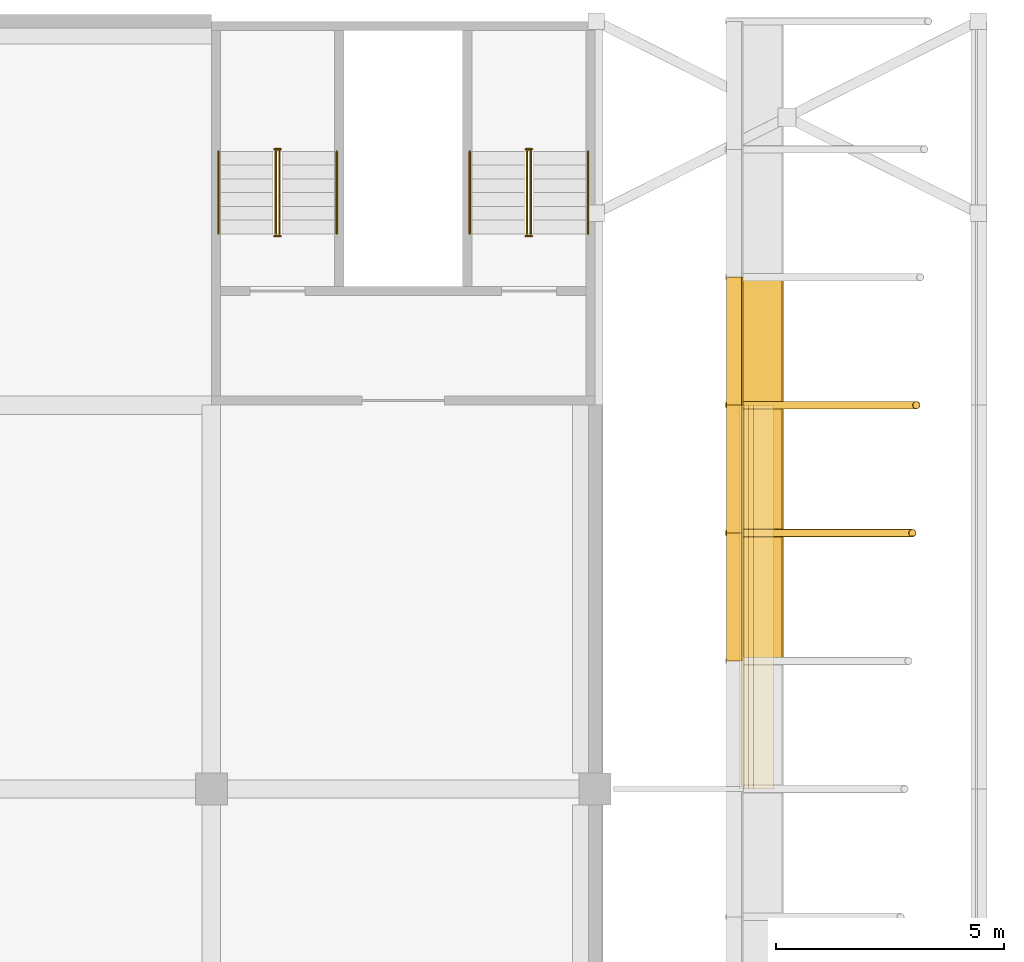
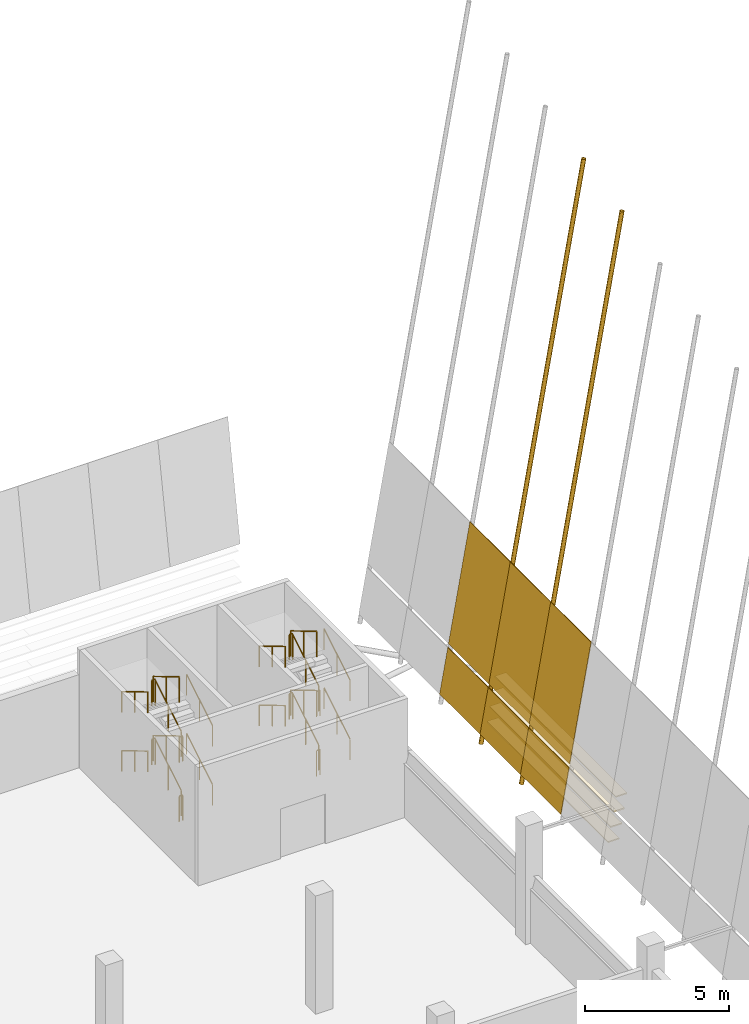
# One storey, part 80 of 82: 24 railings, 10 coverings, 2 shading devices.
"""IFC4 building model written with IfcOpenShell, lengths in metres."""

from ifc_helpers import new_model, si_unit, direction, frame, origin, origin_2d, place, context, subcontext, project, spatial, polyline, rectangle, circle, hollow_circle, outline, extrude, material, layer, layer_set, material_profile, profile_set, type_object, element, save


model = new_model("IFC4")

# Units and contexts
model_context = context("Model", 3, precision=1e-05, world=origin(), true_north=direction((0.0, 1.0)))
body_context = subcontext(model_context, "Body", "Model", "MODEL_VIEW")
ifc_project = project(units=[si_unit("LENGTHUNIT", "METRE"), si_unit("AREAUNIT", "SQUARE_METRE"), si_unit("VOLUMEUNIT", "CUBIC_METRE"), si_unit("PLANEANGLEUNIT", "RADIAN"), si_unit("MASSUNIT", "GRAM", prefix="KILO")], contexts=[model_context])

# Site, building, storey
site_placement = place(None, origin())
site = spatial("IfcSite", under=ifc_project, at=site_placement, CompositionType="ELEMENT")
building_placement = place(site_placement, origin())
building = spatial("IfcBuilding", under=site, at=building_placement, Name="Almond Square Museum", CompositionType="ELEMENT")
storey_placement = place(building_placement, frame((0.0, 0.0, 20.0)))
storey = spatial("IfcBuildingStorey", under=building, at=storey_placement, Name="L03", CompositionType="ELEMENT", Elevation=20.0)

# Coverings
ifc_material_1 = material(Name="Cedar timber louvre board", Category="wood")
ifc_material_profile_1 = material_profile(ifc_material_1, rectangle(XDim=0.449951171875, YDim=0.050048828125, at=origin_2d()))
ifc_profile_set_1 = profile_set([ifc_material_profile_1], Name="Cedar timber louvre board")
covering_type_1 = type_object("IfcCoveringType", Name="Louvre board 450 x 50", PredefinedType="CLADDING", material=ifc_profile_set_1)
for number, where, z_axis, x_axis, name in (
    (1, (152.174560546875, 92.39990234375, 2.89990234375), (0.0, 1.0, 0.0), (-1.0, 0.0, 0.0), "Louvre board E01.06"),
    (2, (152.2802734375, 92.39990234375, 3.5), (0.0, 1.0, 0.0), (-1.0, 0.0, 0.0), "Louvre board E02.06"),
    (3, (152.38623046875, 92.39990234375, 4.10009765625), (0.0, 1.0, 0.0), (-1.0, 0.0, 0.0), "Louvre board E03.06"),
    (4, (152.491943359375, 92.39990234375, 4.699951171875), (0.0, 1.0, 0.0), (-1.0, 0.0, 0.0), "Louvre board E04.06"),
):
    element("IfcCovering", number, at=place(storey_placement, frame(where, z_axis=z_axis, x_axis=x_axis)), inside=storey, type_object=covering_type_1, Name=name, PredefinedType="CLADDING", context=body_context, shape_type="SweptSolid", body=[
        extrude(rectangle(XDim=0.449951171875, YDim=0.050048828125, at=origin_2d()), origin(), (0.0, 0.0, 1.0), 8.400146484375),
    ])

# Shading devices
ifc_material_2 = material(Name="Structural steel S355", Category="steel")
ifc_material_profile_2 = material_profile(ifc_material_2, hollow_circle(Radius=0.084228515625, WallThickness=0.008056640625, at=origin_2d()))
ifc_profile_set_2 = profile_set([ifc_material_profile_2], Name="Structural steel S355")
shading_device_type = type_object("IfcShadingDeviceType", Name="Louvre post CHS 168.3 x 8", PredefinedType="USERDEFINED", material=ifc_profile_set_2)
shading_device_1_placement = place(storey_placement, frame((151.720947265625, 98.0, 2.0654296875), z_axis=(0.173644051599, 0.0, 0.98480848054), x_axis=(0.0, 1.0, 0.0)))
element("IfcShadingDevice", 5, at=shading_device_1_placement, inside=storey, type_object=shading_device_type, Name="Louvre post E18", ObjectType="POST", PredefinedType="USERDEFINED", context=body_context, shape_type="SweptSolid", body=[
    extrude(hollow_circle(Radius=0.084228515625, WallThickness=0.008056640625, at=origin_2d()), origin(), (0.0, 0.0, 1.0), 23.16650390625),
])
shading_device_2_placement = place(storey_placement, frame((151.720947265625, 100.800048828125, 2.0654296875), z_axis=(0.17364525651, 0.0, 0.984808268087), x_axis=(0.0, 1.0, 0.0)))
element("IfcShadingDevice", 6, at=shading_device_2_placement, inside=storey, type_object=shading_device_type, Name="Louvre post E19", ObjectType="POST", PredefinedType="USERDEFINED", context=body_context, shape_type="SweptSolid", body=[
    extrude(hollow_circle(Radius=0.084228515625, WallThickness=0.008056640625, at=origin_2d()), origin(), (0.0, 0.0, 1.0), 23.663818359375),
])

# Coverings
ifc_material_3 = material(Name="Cedar timber sheathing panel", Category="wood")
ifc_layer = layer(ifc_material_3, 0.030029296875)
ifc_layer_set = layer_set([ifc_layer], Name="Cedar timber sheathing panel")
covering_type_2 = type_object("IfcCoveringType", Name="Louvre rain-screen backing panel 30", PredefinedType="CLADDING", material=ifc_layer_set)
covering_1_placement = place(storey_placement, frame((151.69287109375, 95.199951171875, 2.465576171875), z_axis=(0.984821183335, 0.0, -0.173571993292), x_axis=(0.0, 1.0, 0.0)))
element("IfcCovering", 7, at=covering_1_placement, inside=storey, type_object=covering_type_2, Name="Louvre rain-screen backing panel E17.05", PredefinedType="CLADDING", context=body_context, shape_type="SweptSolid", body=[
    extrude(outline(polyline([(0.0, 0.0), (2.800048828125, 0.0), (2.800048828125, 1.8932390820550984), (0.0, 1.8932390820550984), (0.0, 0.0)])), frame((0.0, 0.0, -0.01513671875)), (0.0, 0.0, 1.0), 0.030029296875),
])
covering_2_placement = place(storey_placement, frame((152.046142578125, 95.199951171875, 4.469970703125), z_axis=(0.984800486849, 0.0, -0.173689381088), x_axis=(0.0, 1.0, 0.0)))
element("IfcCovering", 8, at=covering_2_placement, inside=storey, type_object=covering_type_2, Name="Louvre rain-screen backing panel E17.06", PredefinedType="CLADDING", context=body_context, shape_type="SweptSolid", body=[
    extrude(outline(polyline([(0.0, 0.0), (2.800048828125, 0.0), (2.800048828125, 4.9351188253650715), (0.0, 4.9351188253650715), (0.0, 0.0)])), frame((0.0, 0.0, -0.01513671875)), (0.0, 0.0, 1.0), 0.030029296875),
])
covering_3_placement = place(storey_placement, frame((151.69287109375, 98.0, 2.465576171875), z_axis=(0.984821183335, 0.0, -0.173571993292), x_axis=(0.0, 1.0, 0.0)))
element("IfcCovering", 9, at=covering_3_placement, inside=storey, type_object=covering_type_2, Name="Louvre rain-screen backing panel E18.05", PredefinedType="CLADDING", context=body_context, shape_type="SweptSolid", body=[
    extrude(outline(polyline([(0.0, 0.0), (2.800048828125, 0.0), (2.800048828125, 1.8932390820550984), (0.0, 1.8932390820550984), (0.0, 0.0)])), frame((0.0, 0.0, -0.01513671875)), (0.0, 0.0, 1.0), 0.030029296875),
])
covering_4_placement = place(storey_placement, frame((152.046142578125, 98.0, 4.469970703125), z_axis=(0.984800486849, 0.0, -0.173689381088), x_axis=(0.0, 1.0, 0.0)))
element("IfcCovering", 10, at=covering_4_placement, inside=storey, type_object=covering_type_2, Name="Louvre rain-screen backing panel E18.06", PredefinedType="CLADDING", context=body_context, shape_type="SweptSolid", body=[
    extrude(outline(polyline([(0.0, 0.0), (2.800048828125, 0.0), (2.800048828125, 4.9351188253650715), (0.0, 4.9351188253650715), (0.0, 0.0)])), frame((0.0, 0.0, -0.01513671875)), (0.0, 0.0, 1.0), 0.030029296875),
])
covering_5_placement = place(storey_placement, frame((151.69287109375, 100.800048828125, 2.465576171875), z_axis=(0.984821183335, 0.0, -0.173571993292), x_axis=(0.0, 1.0, 0.0)))
element("IfcCovering", 11, at=covering_5_placement, inside=storey, type_object=covering_type_2, Name="Louvre rain-screen backing panel E19.05", PredefinedType="CLADDING", context=body_context, shape_type="SweptSolid", body=[
    extrude(outline(polyline([(0.0, 0.0), (2.800048828125, 0.0), (2.800048828125, 1.8932390820550984), (0.0, 1.8932390820550984), (0.0, 0.0)])), frame((0.0, 0.0, -0.01513671875)), (0.0, 0.0, 1.0), 0.030029296875),
])
covering_6_placement = place(storey_placement, frame((152.046142578125, 100.800048828125, 4.469970703125), z_axis=(0.984800486849, 0.0, -0.173689381088), x_axis=(0.0, 1.0, 0.0)))
element("IfcCovering", 12, at=covering_6_placement, inside=storey, type_object=covering_type_2, Name="Louvre rain-screen backing panel E19.06", PredefinedType="CLADDING", context=body_context, shape_type="SweptSolid", body=[
    extrude(outline(polyline([(0.0, 0.0), (2.800048828125, 0.0), (2.800048828125, 4.9351188253650715), (0.0, 4.9351188253650715), (0.0, 0.0)])), frame((0.0, 0.0, -0.01513671875)), (0.0, 0.0, 1.0), 0.030029296875),
])

# Railings
ifc_material_4 = material(Name="Stainless steel and laminated glass", Category="steel")
railing_type_1 = type_object("IfcRailingType", Name="Stair guard 1100 steel and glass", PredefinedType="GUARDRAIL", material=ifc_material_4)
railing_1_placement = place(storey_placement, frame((141.889892578125, 104.550048828125, 0.178466796875)))
element("IfcRailing", 13, at=railing_1_placement, inside=storey, type_object=railing_type_1, Name="L03 ST-05 stair guard 1", PredefinedType="GUARDRAIL", context=body_context, shape_type="SweptSolid", body=[
    extrude(circle(Radius=0.02392578125, at=origin_2d()), frame((0.0, 0.0, 1.076171875), z_axis=(0.0, 0.859277029364, 0.511510495305), x_axis=(-1.0, 0.0, 0.0)), (0.0, 0.0, 1.0), 2.0947265625),
    extrude(circle(Radius=0.02099609375, at=origin_2d()), origin(), (0.0, 0.0, 1.0), 1.052001953125),
    extrude(circle(Radius=0.02099609375, at=origin_2d()), frame((0.0, 0.89990234375, 0.53564453125)), (0.0, 0.0, 1.0), 1.052001953125),
    extrude(circle(Radius=0.02099609375, at=origin_2d()), frame((0.0, 1.800048828125, 1.071533203125)), (0.0, 0.0, 1.0), 1.052001953125),
])
railing_2_placement = place(storey_placement, frame((141.919921875, 106.39990234375, 1.25)))
element("IfcRailing", 14, at=railing_2_placement, inside=storey, type_object=railing_type_1, Name="L03 ST-05 stair guard 2", PredefinedType="GUARDRAIL", context=body_context, shape_type="SweptSolid", body=[
    extrude(circle(Radius=0.02392578125, at=origin_2d()), frame((0.0, 0.0, 1.076171875), z_axis=(-1.0, 0.0, 0.0), x_axis=(0.0, -1.0, 0.0)), (0.0, 0.0, 1.0), 0.139892578125),
    extrude(circle(Radius=0.02099609375, at=origin_2d()), origin(), (0.0, 0.0, 1.0), 1.052001953125),
    extrude(circle(Radius=0.02099609375, at=origin_2d()), frame((-0.139892578125, 0.0, 0.0)), (0.0, 0.0, 1.0), 1.052001953125),
])
railing_3_placement = place(storey_placement, frame((141.81005859375, 106.35009765625, 1.428466796875)))
element("IfcRailing", 15, at=railing_3_placement, inside=storey, type_object=railing_type_1, Name="L03 ST-05 stair guard 3", PredefinedType="GUARDRAIL", context=body_context, shape_type="SweptSolid", body=[
    extrude(circle(Radius=0.02392578125, at=origin_2d()), frame((0.0, 0.0, 1.076171875), z_axis=(0.0, -0.859277029364, 0.511510495305), x_axis=(1.0, 0.0, 0.0)), (0.0, 0.0, 1.0), 2.0947265625),
    extrude(circle(Radius=0.02099609375, at=origin_2d()), origin(), (0.0, 0.0, 1.0), 1.052001953125),
    extrude(circle(Radius=0.02099609375, at=origin_2d()), frame((0.0, -0.89990234375, 0.53564453125)), (0.0, 0.0, 1.0), 1.052001953125),
    extrude(circle(Radius=0.02099609375, at=origin_2d()), frame((0.0, -1.800048828125, 1.071533203125)), (0.0, 0.0, 1.0), 1.052001953125),
])
railing_4_placement = place(storey_placement, frame((141.919921875, 104.5, 2.5)))
element("IfcRailing", 16, at=railing_4_placement, inside=storey, type_object=railing_type_1, Name="L03 ST-05 stair guard 4", PredefinedType="GUARDRAIL", context=body_context, shape_type="SweptSolid", body=[
    extrude(circle(Radius=0.02392578125, at=origin_2d()), frame((0.0, 0.0, 1.076171875), z_axis=(-1.0, 0.0, 0.0), x_axis=(0.0, -1.0, 0.0)), (0.0, 0.0, 1.0), 0.139892578125),
    extrude(circle(Radius=0.02099609375, at=origin_2d()), origin(), (0.0, 0.0, 1.0), 1.052001953125),
    extrude(circle(Radius=0.02099609375, at=origin_2d()), frame((-0.139892578125, 0.0, 0.0)), (0.0, 0.0, 1.0), 1.052001953125),
])
railing_5_placement = place(storey_placement, frame((141.889892578125, 104.550048828125, 2.678466796875)))
element("IfcRailing", 17, at=railing_5_placement, inside=storey, type_object=railing_type_1, Name="L03 ST-05 stair guard 5", PredefinedType="GUARDRAIL", context=body_context, shape_type="SweptSolid", body=[
    extrude(circle(Radius=0.02392578125, at=origin_2d()), frame((0.0, 0.0, 1.076171875), z_axis=(0.0, 0.859277029364, 0.511510495305), x_axis=(-1.0, 0.0, 0.0)), (0.0, 0.0, 1.0), 2.0947265625),
    extrude(circle(Radius=0.02099609375, at=origin_2d()), origin(), (0.0, 0.0, 1.0), 1.052001953125),
    extrude(circle(Radius=0.02099609375, at=origin_2d()), frame((0.0, 0.89990234375, 0.53564453125)), (0.0, 0.0, 1.0), 1.052001953125),
    extrude(circle(Radius=0.02099609375, at=origin_2d()), frame((0.0, 1.800048828125, 1.071533203125)), (0.0, 0.0, 1.0), 1.052001953125),
])
railing_6_placement = place(storey_placement, frame((141.919921875, 106.39990234375, 3.75)))
element("IfcRailing", 18, at=railing_6_placement, inside=storey, type_object=railing_type_1, Name="L03 ST-05 stair guard 6", PredefinedType="GUARDRAIL", context=body_context, shape_type="SweptSolid", body=[
    extrude(circle(Radius=0.02392578125, at=origin_2d()), frame((0.0, 0.0, 1.076171875), z_axis=(-1.0, 0.0, 0.0), x_axis=(0.0, -1.0, 0.0)), (0.0, 0.0, 1.0), 0.139892578125),
    extrude(circle(Radius=0.02099609375, at=origin_2d()), origin(), (0.0, 0.0, 1.0), 1.052001953125),
    extrude(circle(Radius=0.02099609375, at=origin_2d()), frame((-0.139892578125, 0.0, 0.0)), (0.0, 0.0, 1.0), 1.052001953125),
])
railing_7_placement = place(storey_placement, frame((141.81005859375, 106.35009765625, 3.928466796875)))
element("IfcRailing", 19, at=railing_7_placement, inside=storey, type_object=railing_type_1, Name="L03 ST-05 stair guard 7", PredefinedType="GUARDRAIL", context=body_context, shape_type="SweptSolid", body=[
    extrude(circle(Radius=0.02392578125, at=origin_2d()), frame((0.0, 0.0, 1.076171875), z_axis=(0.0, -0.859277029364, 0.511510495305), x_axis=(1.0, 0.0, 0.0)), (0.0, 0.0, 1.0), 2.0947265625),
    extrude(circle(Radius=0.02099609375, at=origin_2d()), origin(), (0.0, 0.0, 1.0), 1.052001953125),
    extrude(circle(Radius=0.02099609375, at=origin_2d()), frame((0.0, -0.89990234375, 0.53564453125)), (0.0, 0.0, 1.0), 1.052001953125),
    extrude(circle(Radius=0.02099609375, at=origin_2d()), frame((0.0, -1.800048828125, 1.071533203125)), (0.0, 0.0, 1.0), 1.052001953125),
])
railing_8_placement = place(storey_placement, frame((141.919921875, 104.5, 0.0)))
element("IfcRailing", 20, at=railing_8_placement, inside=storey, type_object=railing_type_1, Name="L03 ST-05 stair guard 8", PredefinedType="GUARDRAIL", context=body_context, shape_type="SweptSolid", body=[
    extrude(circle(Radius=0.02392578125, at=origin_2d()), frame((0.0, 0.0, 1.076171875), z_axis=(-1.0, 0.0, 0.0), x_axis=(0.0, -1.0, 0.0)), (0.0, 0.0, 1.0), 0.139892578125),
    extrude(circle(Radius=0.02099609375, at=origin_2d()), origin(), (0.0, 0.0, 1.0), 1.052001953125),
    extrude(circle(Radius=0.02099609375, at=origin_2d()), frame((-0.139892578125, 0.0, 0.0)), (0.0, 0.0, 1.0), 1.052001953125),
])
railing_9_placement = place(storey_placement, frame((147.389892578125, 104.550048828125, 0.178466796875)))
element("IfcRailing", 21, at=railing_9_placement, inside=storey, type_object=railing_type_1, Name="L03 ST-06 stair guard 1", PredefinedType="GUARDRAIL", context=body_context, shape_type="SweptSolid", body=[
    extrude(circle(Radius=0.02392578125, at=origin_2d()), frame((0.0, 0.0, 1.076171875), z_axis=(0.0, 0.859277029364, 0.511510495305), x_axis=(-1.0, 0.0, 0.0)), (0.0, 0.0, 1.0), 2.0947265625),
    extrude(circle(Radius=0.02099609375, at=origin_2d()), origin(), (0.0, 0.0, 1.0), 1.052001953125),
    extrude(circle(Radius=0.02099609375, at=origin_2d()), frame((0.0, 0.89990234375, 0.53564453125)), (0.0, 0.0, 1.0), 1.052001953125),
    extrude(circle(Radius=0.02099609375, at=origin_2d()), frame((0.0, 1.800048828125, 1.071533203125)), (0.0, 0.0, 1.0), 1.052001953125),
])
railing_10_placement = place(storey_placement, frame((147.419921875, 106.39990234375, 1.25)))
element("IfcRailing", 22, at=railing_10_placement, inside=storey, type_object=railing_type_1, Name="L03 ST-06 stair guard 2", PredefinedType="GUARDRAIL", context=body_context, shape_type="SweptSolid", body=[
    extrude(circle(Radius=0.02392578125, at=origin_2d()), frame((0.0, 0.0, 1.076171875), z_axis=(-1.0, 0.0, 0.0), x_axis=(0.0, -1.0, 0.0)), (0.0, 0.0, 1.0), 0.139892578125),
    extrude(circle(Radius=0.02099609375, at=origin_2d()), origin(), (0.0, 0.0, 1.0), 1.052001953125),
    extrude(circle(Radius=0.02099609375, at=origin_2d()), frame((-0.139892578125, 0.0, 0.0)), (0.0, 0.0, 1.0), 1.052001953125),
])
railing_11_placement = place(storey_placement, frame((147.31005859375, 106.35009765625, 1.428466796875)))
element("IfcRailing", 23, at=railing_11_placement, inside=storey, type_object=railing_type_1, Name="L03 ST-06 stair guard 3", PredefinedType="GUARDRAIL", context=body_context, shape_type="SweptSolid", body=[
    extrude(circle(Radius=0.02392578125, at=origin_2d()), frame((0.0, 0.0, 1.076171875), z_axis=(0.0, -0.859277029364, 0.511510495305), x_axis=(1.0, 0.0, 0.0)), (0.0, 0.0, 1.0), 2.0947265625),
    extrude(circle(Radius=0.02099609375, at=origin_2d()), origin(), (0.0, 0.0, 1.0), 1.052001953125),
    extrude(circle(Radius=0.02099609375, at=origin_2d()), frame((0.0, -0.89990234375, 0.53564453125)), (0.0, 0.0, 1.0), 1.052001953125),
    extrude(circle(Radius=0.02099609375, at=origin_2d()), frame((0.0, -1.800048828125, 1.071533203125)), (0.0, 0.0, 1.0), 1.052001953125),
])
railing_12_placement = place(storey_placement, frame((147.419921875, 104.5, 2.5)))
element("IfcRailing", 24, at=railing_12_placement, inside=storey, type_object=railing_type_1, Name="L03 ST-06 stair guard 4", PredefinedType="GUARDRAIL", context=body_context, shape_type="SweptSolid", body=[
    extrude(circle(Radius=0.02392578125, at=origin_2d()), frame((0.0, 0.0, 1.076171875), z_axis=(-1.0, 0.0, 0.0), x_axis=(0.0, -1.0, 0.0)), (0.0, 0.0, 1.0), 0.139892578125),
    extrude(circle(Radius=0.02099609375, at=origin_2d()), origin(), (0.0, 0.0, 1.0), 1.052001953125),
    extrude(circle(Radius=0.02099609375, at=origin_2d()), frame((-0.139892578125, 0.0, 0.0)), (0.0, 0.0, 1.0), 1.052001953125),
])
railing_13_placement = place(storey_placement, frame((147.389892578125, 104.550048828125, 2.678466796875)))
element("IfcRailing", 25, at=railing_13_placement, inside=storey, type_object=railing_type_1, Name="L03 ST-06 stair guard 5", PredefinedType="GUARDRAIL", context=body_context, shape_type="SweptSolid", body=[
    extrude(circle(Radius=0.02392578125, at=origin_2d()), frame((0.0, 0.0, 1.076171875), z_axis=(0.0, 0.859277029364, 0.511510495305), x_axis=(-1.0, 0.0, 0.0)), (0.0, 0.0, 1.0), 2.0947265625),
    extrude(circle(Radius=0.02099609375, at=origin_2d()), origin(), (0.0, 0.0, 1.0), 1.052001953125),
    extrude(circle(Radius=0.02099609375, at=origin_2d()), frame((0.0, 0.89990234375, 0.53564453125)), (0.0, 0.0, 1.0), 1.052001953125),
    extrude(circle(Radius=0.02099609375, at=origin_2d()), frame((0.0, 1.800048828125, 1.071533203125)), (0.0, 0.0, 1.0), 1.052001953125),
])
railing_14_placement = place(storey_placement, frame((147.419921875, 106.39990234375, 3.75)))
element("IfcRailing", 26, at=railing_14_placement, inside=storey, type_object=railing_type_1, Name="L03 ST-06 stair guard 6", PredefinedType="GUARDRAIL", context=body_context, shape_type="SweptSolid", body=[
    extrude(circle(Radius=0.02392578125, at=origin_2d()), frame((0.0, 0.0, 1.076171875), z_axis=(-1.0, 0.0, 0.0), x_axis=(0.0, -1.0, 0.0)), (0.0, 0.0, 1.0), 0.139892578125),
    extrude(circle(Radius=0.02099609375, at=origin_2d()), origin(), (0.0, 0.0, 1.0), 1.052001953125),
    extrude(circle(Radius=0.02099609375, at=origin_2d()), frame((-0.139892578125, 0.0, 0.0)), (0.0, 0.0, 1.0), 1.052001953125),
])
railing_15_placement = place(storey_placement, frame((147.31005859375, 106.35009765625, 3.928466796875)))
element("IfcRailing", 27, at=railing_15_placement, inside=storey, type_object=railing_type_1, Name="L03 ST-06 stair guard 7", PredefinedType="GUARDRAIL", context=body_context, shape_type="SweptSolid", body=[
    extrude(circle(Radius=0.02392578125, at=origin_2d()), frame((0.0, 0.0, 1.076171875), z_axis=(0.0, -0.859277029364, 0.511510495305), x_axis=(1.0, 0.0, 0.0)), (0.0, 0.0, 1.0), 2.0947265625),
    extrude(circle(Radius=0.02099609375, at=origin_2d()), origin(), (0.0, 0.0, 1.0), 1.052001953125),
    extrude(circle(Radius=0.02099609375, at=origin_2d()), frame((0.0, -0.89990234375, 0.53564453125)), (0.0, 0.0, 1.0), 1.052001953125),
    extrude(circle(Radius=0.02099609375, at=origin_2d()), frame((0.0, -1.800048828125, 1.071533203125)), (0.0, 0.0, 1.0), 1.052001953125),
])
railing_16_placement = place(storey_placement, frame((147.419921875, 104.5, 0.0)))
element("IfcRailing", 28, at=railing_16_placement, inside=storey, type_object=railing_type_1, Name="L03 ST-06 stair guard 8", PredefinedType="GUARDRAIL", context=body_context, shape_type="SweptSolid", body=[
    extrude(circle(Radius=0.02392578125, at=origin_2d()), frame((0.0, 0.0, 1.076171875), z_axis=(-1.0, 0.0, 0.0), x_axis=(0.0, -1.0, 0.0)), (0.0, 0.0, 1.0), 0.139892578125),
    extrude(circle(Radius=0.02099609375, at=origin_2d()), origin(), (0.0, 0.0, 1.0), 1.052001953125),
    extrude(circle(Radius=0.02099609375, at=origin_2d()), frame((-0.139892578125, 0.0, 0.0)), (0.0, 0.0, 1.0), 1.052001953125),
])
ifc_material_5 = material(Name="Stainless steel", Category="steel")
railing_type_2 = type_object("IfcRailingType", Name="Stair handrail 900 steel", PredefinedType="HANDRAIL", material=ifc_material_5)
railing_17_placement = place(storey_placement, frame((143.14501953125, 104.550048828125, 0.178466796875)))
element("IfcRailing", 29, at=railing_17_placement, inside=storey, type_object=railing_type_2, Name="L03 ST-05 stair handrail 1", PredefinedType="HANDRAIL", context=body_context, shape_type="SweptSolid", body=[
    extrude(circle(Radius=0.02392578125, at=origin_2d()), frame((0.0, 0.0, 0.8759765625), z_axis=(0.0, 0.859277029364, 0.511510495305), x_axis=(-1.0, 0.0, 0.0)), (0.0, 0.0, 1.0), 2.0947265625),
    extrude(circle(Radius=0.02099609375, at=origin_2d()), origin(), (0.0, 0.0, 1.0), 0.851806640625),
    extrude(circle(Radius=0.02099609375, at=origin_2d()), frame((0.0, 0.89990234375, 0.53564453125)), (0.0, 0.0, 1.0), 0.851806640625),
    extrude(circle(Radius=0.02099609375, at=origin_2d()), frame((0.0, 1.800048828125, 1.071533203125)), (0.0, 0.0, 1.0), 0.851806640625),
])
railing_18_placement = place(storey_placement, frame((140.554931640625, 106.35009765625, 1.428466796875)))
element("IfcRailing", 30, at=railing_18_placement, inside=storey, type_object=railing_type_2, Name="L03 ST-05 stair handrail 2", PredefinedType="HANDRAIL", context=body_context, shape_type="SweptSolid", body=[
    extrude(circle(Radius=0.02392578125, at=origin_2d()), frame((0.0, 0.0, 0.8759765625), z_axis=(0.0, -0.859277029364, 0.511510495305), x_axis=(1.0, 0.0, 0.0)), (0.0, 0.0, 1.0), 2.0947265625),
    extrude(circle(Radius=0.02099609375, at=origin_2d()), origin(), (0.0, 0.0, 1.0), 0.851806640625),
    extrude(circle(Radius=0.02099609375, at=origin_2d()), frame((0.0, -0.89990234375, 0.53564453125)), (0.0, 0.0, 1.0), 0.851806640625),
    extrude(circle(Radius=0.02099609375, at=origin_2d()), frame((0.0, -1.800048828125, 1.071533203125)), (0.0, 0.0, 1.0), 0.851806640625),
])
railing_19_placement = place(storey_placement, frame((143.14501953125, 104.550048828125, 2.678466796875)))
element("IfcRailing", 31, at=railing_19_placement, inside=storey, type_object=railing_type_2, Name="L03 ST-05 stair handrail 3", PredefinedType="HANDRAIL", context=body_context, shape_type="SweptSolid", body=[
    extrude(circle(Radius=0.02392578125, at=origin_2d()), frame((0.0, 0.0, 0.8759765625), z_axis=(0.0, 0.859277029364, 0.511510495305), x_axis=(-1.0, 0.0, 0.0)), (0.0, 0.0, 1.0), 2.0947265625),
    extrude(circle(Radius=0.02099609375, at=origin_2d()), origin(), (0.0, 0.0, 1.0), 0.851806640625),
    extrude(circle(Radius=0.02099609375, at=origin_2d()), frame((0.0, 0.89990234375, 0.53564453125)), (0.0, 0.0, 1.0), 0.851806640625),
    extrude(circle(Radius=0.02099609375, at=origin_2d()), frame((0.0, 1.800048828125, 1.071533203125)), (0.0, 0.0, 1.0), 0.851806640625),
])
railing_20_placement = place(storey_placement, frame((140.554931640625, 106.35009765625, 3.928466796875)))
element("IfcRailing", 32, at=railing_20_placement, inside=storey, type_object=railing_type_2, Name="L03 ST-05 stair handrail 4", PredefinedType="HANDRAIL", context=body_context, shape_type="SweptSolid", body=[
    extrude(circle(Radius=0.02392578125, at=origin_2d()), frame((0.0, 0.0, 0.8759765625), z_axis=(0.0, -0.859277029364, 0.511510495305), x_axis=(1.0, 0.0, 0.0)), (0.0, 0.0, 1.0), 2.0947265625),
    extrude(circle(Radius=0.02099609375, at=origin_2d()), origin(), (0.0, 0.0, 1.0), 0.851806640625),
    extrude(circle(Radius=0.02099609375, at=origin_2d()), frame((0.0, -0.89990234375, 0.53564453125)), (0.0, 0.0, 1.0), 0.851806640625),
    extrude(circle(Radius=0.02099609375, at=origin_2d()), frame((0.0, -1.800048828125, 1.071533203125)), (0.0, 0.0, 1.0), 0.851806640625),
])
railing_21_placement = place(storey_placement, frame((148.64501953125, 104.550048828125, 0.178466796875)))
element("IfcRailing", 33, at=railing_21_placement, inside=storey, type_object=railing_type_2, Name="L03 ST-06 stair handrail 1", PredefinedType="HANDRAIL", context=body_context, shape_type="SweptSolid", body=[
    extrude(circle(Radius=0.02392578125, at=origin_2d()), frame((0.0, 0.0, 0.8759765625), z_axis=(0.0, 0.859277029364, 0.511510495305), x_axis=(-1.0, 0.0, 0.0)), (0.0, 0.0, 1.0), 2.0947265625),
    extrude(circle(Radius=0.02099609375, at=origin_2d()), origin(), (0.0, 0.0, 1.0), 0.851806640625),
    extrude(circle(Radius=0.02099609375, at=origin_2d()), frame((0.0, 0.89990234375, 0.53564453125)), (0.0, 0.0, 1.0), 0.851806640625),
    extrude(circle(Radius=0.02099609375, at=origin_2d()), frame((0.0, 1.800048828125, 1.071533203125)), (0.0, 0.0, 1.0), 0.851806640625),
])
railing_22_placement = place(storey_placement, frame((146.054931640625, 106.35009765625, 1.428466796875)))
element("IfcRailing", 34, at=railing_22_placement, inside=storey, type_object=railing_type_2, Name="L03 ST-06 stair handrail 2", PredefinedType="HANDRAIL", context=body_context, shape_type="SweptSolid", body=[
    extrude(circle(Radius=0.02392578125, at=origin_2d()), frame((0.0, 0.0, 0.8759765625), z_axis=(0.0, -0.859277029364, 0.511510495305), x_axis=(1.0, 0.0, 0.0)), (0.0, 0.0, 1.0), 2.0947265625),
    extrude(circle(Radius=0.02099609375, at=origin_2d()), origin(), (0.0, 0.0, 1.0), 0.851806640625),
    extrude(circle(Radius=0.02099609375, at=origin_2d()), frame((0.0, -0.89990234375, 0.53564453125)), (0.0, 0.0, 1.0), 0.851806640625),
    extrude(circle(Radius=0.02099609375, at=origin_2d()), frame((0.0, -1.800048828125, 1.071533203125)), (0.0, 0.0, 1.0), 0.851806640625),
])
railing_23_placement = place(storey_placement, frame((148.64501953125, 104.550048828125, 2.678466796875)))
element("IfcRailing", 35, at=railing_23_placement, inside=storey, type_object=railing_type_2, Name="L03 ST-06 stair handrail 3", PredefinedType="HANDRAIL", context=body_context, shape_type="SweptSolid", body=[
    extrude(circle(Radius=0.02392578125, at=origin_2d()), frame((0.0, 0.0, 0.8759765625), z_axis=(0.0, 0.859277029364, 0.511510495305), x_axis=(-1.0, 0.0, 0.0)), (0.0, 0.0, 1.0), 2.0947265625),
    extrude(circle(Radius=0.02099609375, at=origin_2d()), origin(), (0.0, 0.0, 1.0), 0.851806640625),
    extrude(circle(Radius=0.02099609375, at=origin_2d()), frame((0.0, 0.89990234375, 0.53564453125)), (0.0, 0.0, 1.0), 0.851806640625),
    extrude(circle(Radius=0.02099609375, at=origin_2d()), frame((0.0, 1.800048828125, 1.071533203125)), (0.0, 0.0, 1.0), 0.851806640625),
])
railing_24_placement = place(storey_placement, frame((146.054931640625, 106.35009765625, 3.928466796875)))
element("IfcRailing", 36, at=railing_24_placement, inside=storey, type_object=railing_type_2, Name="L03 ST-06 stair handrail 4", PredefinedType="HANDRAIL", context=body_context, shape_type="SweptSolid", body=[
    extrude(circle(Radius=0.02392578125, at=origin_2d()), frame((0.0, 0.0, 0.8759765625), z_axis=(0.0, -0.859277029364, 0.511510495305), x_axis=(1.0, 0.0, 0.0)), (0.0, 0.0, 1.0), 2.0947265625),
    extrude(circle(Radius=0.02099609375, at=origin_2d()), origin(), (0.0, 0.0, 1.0), 0.851806640625),
    extrude(circle(Radius=0.02099609375, at=origin_2d()), frame((0.0, -0.89990234375, 0.53564453125)), (0.0, 0.0, 1.0), 0.851806640625),
    extrude(circle(Radius=0.02099609375, at=origin_2d()), frame((0.0, -1.800048828125, 1.071533203125)), (0.0, 0.0, 1.0), 0.851806640625),
])

save(model, "model.ifc")
